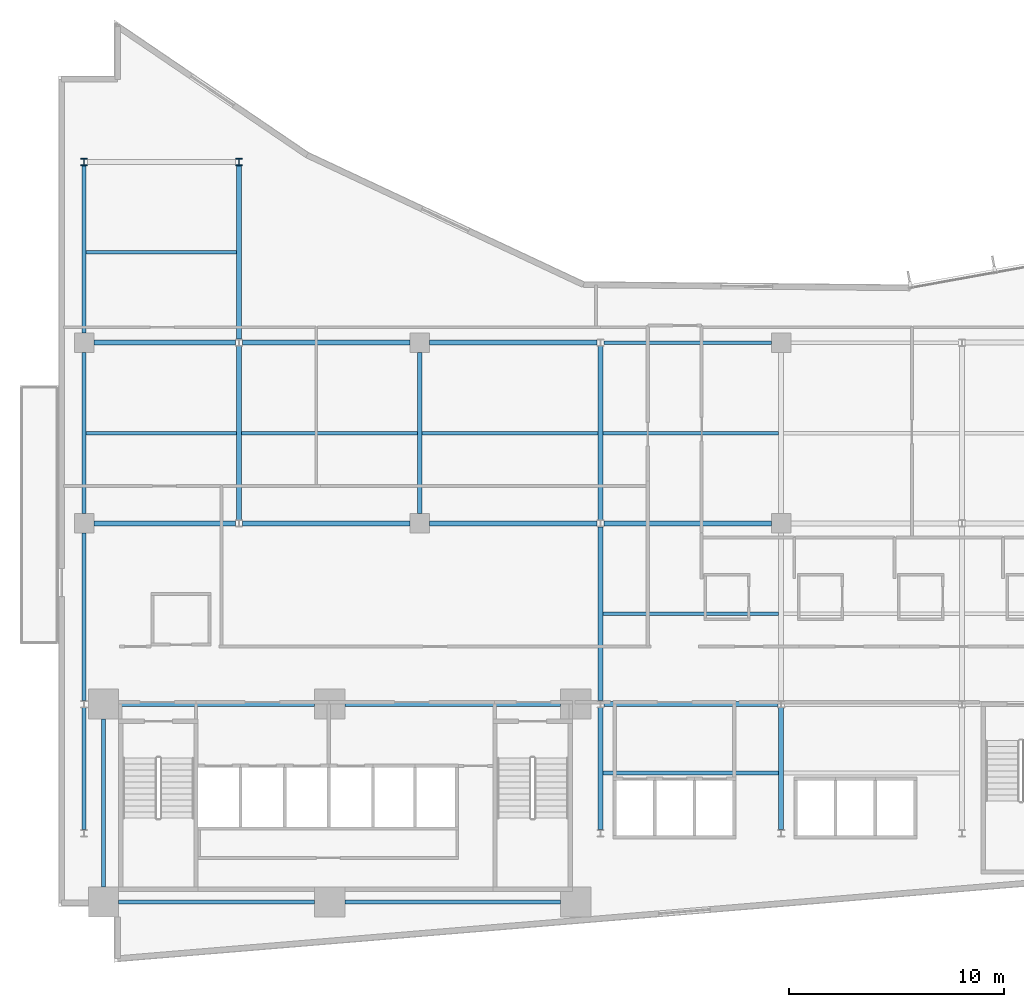
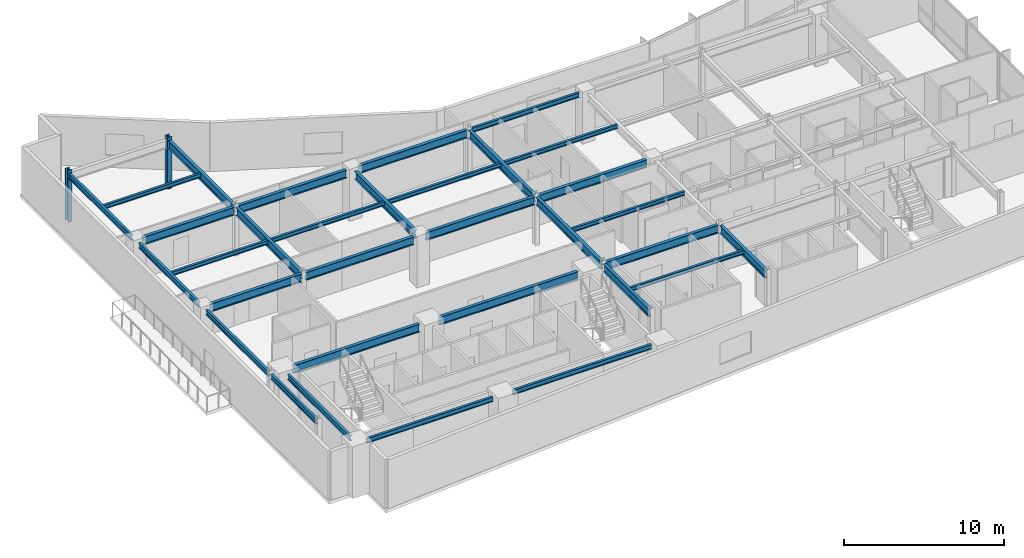
# One storey, part 3 of 19: 32 beams, 2 columns.
"""IFC4 building model written with IfcOpenShell, lengths in metres."""

from ifc_helpers import new_model, si_unit, direction, frame, origin, origin_2d, place, context, subcontext, project, spatial, i_section, extrude, material, material_profile, profile_set, type_object, element, save


model = new_model("IFC4")

# Units and contexts
model_context = context("Model", 3, precision=1e-05, world=origin(), true_north=direction((0.0, 1.0)))
body_context = subcontext(model_context, "Body", "Model", "MODEL_VIEW")
ifc_project = project(units=[si_unit("LENGTHUNIT", "METRE"), si_unit("AREAUNIT", "SQUARE_METRE"), si_unit("VOLUMEUNIT", "CUBIC_METRE"), si_unit("PLANEANGLEUNIT", "RADIAN"), si_unit("MASSUNIT", "GRAM", prefix="KILO")], contexts=[model_context])

# Site, building, storey
site_placement = place(None, origin())
site = spatial("IfcSite", under=ifc_project, at=site_placement, CompositionType="ELEMENT")
building_placement = place(site_placement, origin())
building = spatial("IfcBuilding", under=site, at=building_placement, Name="Varnakote Quay Hospital", CompositionType="ELEMENT")
storey_placement = place(building_placement, frame((0.0, 0.0, 85.699951171875)))
storey = spatial("IfcBuildingStorey", under=building, at=storey_placement, Name="L21", CompositionType="ELEMENT", Elevation=85.699951171875)

# Columns
ifc_material_1 = material(Name="Structural steel AS/NZS 3679.1 Grade 350 L0 (fy 340 MPa)", Category="steel")
ifc_material_profile_1 = material_profile(ifc_material_1, i_section(OverallWidth=0.31103515625, OverallDepth=0.326904296875, WebThickness=0.015625, FlangeThickness=0.02490234375, FilletRadius=0.0166015625, at=origin_2d()), Name="310UC158")
ifc_profile_set_1 = profile_set([ifc_material_profile_1], Name="Structural steel AS/NZS 3679.1 Grade 350 L0 (fy 340 MPa)")
column_type = type_object("IfcColumnType", Name="COL-STL-310UC158", PredefinedType="COLUMN", material=ifc_profile_set_1)
for number, where, z_axis, x_axis, name in (
    (1, (1.199951171875, 37.199951171875, 0.0), (0.0, 0.0, 1.0), (1.0, 0.0, 0.0), "L21 Structural Column C-1-37"),
    (2, (8.39990234375, 37.199951171875, 0.0), (0.0, 0.0, 1.0), (1.0, 0.0, 0.0), "L21 Structural Column C-8-37"),
):
    element("IfcColumn", number, at=place(storey_placement, frame(where, z_axis=z_axis, x_axis=x_axis)), inside=storey, type_object=column_type, Name=name, PredefinedType="COLUMN", context=body_context, shape_type="SweptSolid", body=[
        extrude(i_section(OverallWidth=0.31103515625, OverallDepth=0.326904296875, WebThickness=0.015625, FlangeThickness=0.02490234375, FilletRadius=0.0166015625, at=origin_2d()), origin(), (0.0, 0.0, 1.0), 3.949951171875),
    ])

# Beams
ifc_material_2 = material(Name="Structural steel AS/NZS 3679.1 Grade 350 L0 (fy 340 MPa)", Category="steel")
ifc_material_profile_2 = material_profile(ifc_material_2, i_section(OverallWidth=0.22900390625, OverallDepth=0.612060546875, WebThickness=0.011962890625, FlangeThickness=0.01953125, FilletRadius=0.013916015625, at=origin_2d()), Name="610UB125")
ifc_profile_set_2 = profile_set([ifc_material_profile_2], Name="Structural steel AS/NZS 3679.1 Grade 350 L0 (fy 340 MPa)")
beam_type_1 = type_object("IfcBeamType", Name="BM-STL-610UB125", PredefinedType="BEAM", material=ifc_profile_set_2)
beam_1_placement = place(storey_placement, frame((2.800048828125, 12.0, 3.404052734375), z_axis=(1.0, 0.0, 0.0), x_axis=(0.0, 1.0, 0.0)))
element("IfcBeam", 3, at=beam_1_placement, inside=storey, type_object=beam_type_1, Name="L21 Primary Floor Beam", PredefinedType="BEAM", context=body_context, shape_type="SweptSolid", body=[
    extrude(i_section(OverallWidth=0.22900390625, OverallDepth=0.612060546875, WebThickness=0.011962890625, FlangeThickness=0.01953125, FilletRadius=0.013916015625, at=origin_2d()), origin(), (0.0, 0.0, 1.0), 9.119873046875),
])
beam_2_placement = place(storey_placement, frame((13.320068359375, 12.0, 3.404052734375), z_axis=(1.0, 0.0, 0.0), x_axis=(0.0, 1.0, 0.0)))
element("IfcBeam", 4, at=beam_2_placement, inside=storey, type_object=beam_type_1, Name="L21 Primary Floor Beam", PredefinedType="BEAM", context=body_context, shape_type="SweptSolid", body=[
    extrude(i_section(OverallWidth=0.22900390625, OverallDepth=0.612060546875, WebThickness=0.011962890625, FlangeThickness=0.01953125, FilletRadius=0.013916015625, at=origin_2d()), origin(), (0.0, 0.0, 1.0), 10.030029296875),
])
beam_3_placement = place(storey_placement, frame((25.35546875, 12.0, 3.404052734375), z_axis=(1.0, 0.0, 0.0), x_axis=(0.0, 1.0, 0.0)))
element("IfcBeam", 5, at=beam_3_placement, inside=storey, type_object=beam_type_1, Name="L21 Primary Floor Beam", PredefinedType="BEAM", context=body_context, shape_type="SweptSolid", body=[
    extrude(i_section(OverallWidth=0.22900390625, OverallDepth=0.612060546875, WebThickness=0.011962890625, FlangeThickness=0.01953125, FilletRadius=0.013916015625, at=origin_2d()), origin(), (0.0, 0.0, 1.0), 8.089111328125),
])
beam_4_placement = place(storey_placement, frame((1.64990234375, 20.39990234375, 3.404052734375), z_axis=(1.0, 0.0, 0.0), x_axis=(0.0, 1.0, 0.0)))
element("IfcBeam", 6, at=beam_4_placement, inside=storey, type_object=beam_type_1, Name="L21 Primary Floor Beam", PredefinedType="BEAM", context=body_context, shape_type="SweptSolid", body=[
    extrude(i_section(OverallWidth=0.22900390625, OverallDepth=0.612060546875, WebThickness=0.011962890625, FlangeThickness=0.01953125, FilletRadius=0.013916015625, at=origin_2d()), origin(), (0.0, 0.0, 1.0), 6.594482421875),
])
beam_5_placement = place(storey_placement, frame((8.555419921875, 20.39990234375, 3.404052734375), z_axis=(1.0, 0.0, 0.0), x_axis=(0.0, 1.0, 0.0)))
element("IfcBeam", 7, at=beam_5_placement, inside=storey, type_object=beam_type_1, Name="L21 Primary Floor Beam", PredefinedType="BEAM", context=body_context, shape_type="SweptSolid", body=[
    extrude(i_section(OverallWidth=0.22900390625, OverallDepth=0.612060546875, WebThickness=0.011962890625, FlangeThickness=0.01953125, FilletRadius=0.013916015625, at=origin_2d()), origin(), (0.0, 0.0, 1.0), 7.794677734375),
])
for number, where, z_axis, x_axis, name in (
    (8, (17.25, 20.39990234375, 3.404052734375), (1.0, 0.0, 0.0), (0.0, 1.0, 0.0), "L21 Primary Floor Beam"),
    (9, (25.35546875, 20.39990234375, 3.404052734375), (1.0, 0.0, 0.0), (0.0, 1.0, 0.0), "L21 Primary Floor Beam"),
):
    element("IfcBeam", number, at=place(storey_placement, frame(where, z_axis=z_axis, x_axis=x_axis)), inside=storey, type_object=beam_type_1, Name=name, PredefinedType="BEAM", context=body_context, shape_type="SweptSolid", body=[
        extrude(i_section(OverallWidth=0.22900390625, OverallDepth=0.612060546875, WebThickness=0.011962890625, FlangeThickness=0.01953125, FilletRadius=0.013916015625, at=origin_2d()), origin(), (0.0, 0.0, 1.0), 7.79443359375),
    ])
beam_6_placement = place(storey_placement, frame((1.64990234375, 28.800048828125, 3.404052734375), z_axis=(1.0, 0.0, 0.0), x_axis=(0.0, 1.0, 0.0)))
element("IfcBeam", 10, at=beam_6_placement, inside=storey, type_object=beam_type_1, Name="L21 Primary Floor Beam", PredefinedType="BEAM", context=body_context, shape_type="SweptSolid", body=[
    extrude(i_section(OverallWidth=0.22900390625, OverallDepth=0.612060546875, WebThickness=0.011962890625, FlangeThickness=0.01953125, FilletRadius=0.013916015625, at=origin_2d()), origin(), (0.0, 0.0, 1.0), 6.594482421875),
])
beam_7_placement = place(storey_placement, frame((8.555419921875, 28.800048828125, 3.404052734375), z_axis=(1.0, 0.0, 0.0), x_axis=(0.0, 1.0, 0.0)))
element("IfcBeam", 11, at=beam_7_placement, inside=storey, type_object=beam_type_1, Name="L21 Primary Floor Beam", PredefinedType="BEAM", context=body_context, shape_type="SweptSolid", body=[
    extrude(i_section(OverallWidth=0.22900390625, OverallDepth=0.612060546875, WebThickness=0.011962890625, FlangeThickness=0.01953125, FilletRadius=0.013916015625, at=origin_2d()), origin(), (0.0, 0.0, 1.0), 7.794677734375),
])
beam_8_placement = place(storey_placement, frame((17.25, 28.800048828125, 3.404052734375), z_axis=(1.0, 0.0, 0.0), x_axis=(0.0, 1.0, 0.0)))
element("IfcBeam", 12, at=beam_8_placement, inside=storey, type_object=beam_type_1, Name="L21 Primary Floor Beam", PredefinedType="BEAM", context=body_context, shape_type="SweptSolid", body=[
    extrude(i_section(OverallWidth=0.22900390625, OverallDepth=0.612060546875, WebThickness=0.011962890625, FlangeThickness=0.01953125, FilletRadius=0.013916015625, at=origin_2d()), origin(), (0.0, 0.0, 1.0), 7.79443359375),
])
beam_9_placement = place(storey_placement, frame((8.39990234375, 20.5634765625, 3.404052734375), z_axis=(0.0, 1.0, 0.0), x_axis=(-1.0, 0.0, 0.0)))
element("IfcBeam", 13, at=beam_9_placement, inside=storey, type_object=beam_type_1, Name="L21 Primary Tie Beam", PredefinedType="BEAM", context=body_context, shape_type="SweptSolid", body=[
    extrude(i_section(OverallWidth=0.22900390625, OverallDepth=0.612060546875, WebThickness=0.011962890625, FlangeThickness=0.01953125, FilletRadius=0.013916015625, at=origin_2d()), origin(), (0.0, 0.0, 1.0), 8.072998046875),
])
beam_10_placement = place(storey_placement, frame((8.39990234375, 28.96337890625, 3.404052734375), z_axis=(0.0, 1.0, 0.0), x_axis=(-1.0, 0.0, 0.0)))
element("IfcBeam", 14, at=beam_10_placement, inside=storey, type_object=beam_type_1, Name="L21 Primary Tie Beam", PredefinedType="BEAM", context=body_context, shape_type="SweptSolid", body=[
    extrude(i_section(OverallWidth=0.22900390625, OverallDepth=0.612060546875, WebThickness=0.011962890625, FlangeThickness=0.01953125, FilletRadius=0.013916015625, at=origin_2d()), origin(), (0.0, 0.0, 1.0), 8.0732421875),
])
beam_11_placement = place(storey_placement, frame((16.800048828125, 20.85009765625, 3.404052734375), z_axis=(0.0, 1.0, 0.0), x_axis=(-1.0, 0.0, 0.0)))
element("IfcBeam", 15, at=beam_11_placement, inside=storey, type_object=beam_type_1, Name="L21 Primary Tie Beam", PredefinedType="BEAM", context=body_context, shape_type="SweptSolid", body=[
    extrude(i_section(OverallWidth=0.22900390625, OverallDepth=0.612060546875, WebThickness=0.011962890625, FlangeThickness=0.01953125, FilletRadius=0.013916015625, at=origin_2d()), origin(), (0.0, 0.0, 1.0), 7.5),
])
beam_12_placement = place(storey_placement, frame((25.199951171875, 6.16357421875, 3.404052734375), z_axis=(0.0, 1.0, 0.0), x_axis=(-1.0, 0.0, 0.0)))
element("IfcBeam", 16, at=beam_12_placement, inside=storey, type_object=beam_type_1, Name="L21 Primary Tie Beam", PredefinedType="BEAM", context=body_context, shape_type="SweptSolid", body=[
    extrude(i_section(OverallWidth=0.22900390625, OverallDepth=0.612060546875, WebThickness=0.011962890625, FlangeThickness=0.01953125, FilletRadius=0.013916015625, at=origin_2d()), origin(), (0.0, 0.0, 1.0), 5.6728515625),
])
for number, where, z_axis, x_axis, name in (
    (17, (25.199951171875, 12.16357421875, 3.404052734375), (0.0, 1.0, 0.0), (-1.0, 0.0, 0.0), "L21 Primary Tie Beam"),
    (18, (25.199951171875, 20.5634765625, 3.404052734375), (0.0, 1.0, 0.0), (-1.0, 0.0, 0.0), "L21 Primary Tie Beam"),
):
    element("IfcBeam", number, at=place(storey_placement, frame(where, z_axis=z_axis, x_axis=x_axis)), inside=storey, type_object=beam_type_1, Name=name, PredefinedType="BEAM", context=body_context, shape_type="SweptSolid", body=[
        extrude(i_section(OverallWidth=0.22900390625, OverallDepth=0.612060546875, WebThickness=0.011962890625, FlangeThickness=0.01953125, FilletRadius=0.013916015625, at=origin_2d()), origin(), (0.0, 0.0, 1.0), 8.072998046875),
    ])
beam_13_placement = place(storey_placement, frame((33.60009765625, 6.16357421875, 3.404052734375), z_axis=(0.0, 1.0, 0.0), x_axis=(-1.0, 0.0, 0.0)))
element("IfcBeam", 19, at=beam_13_placement, inside=storey, type_object=beam_type_1, Name="L21 Primary Tie Beam", PredefinedType="BEAM", context=body_context, shape_type="SweptSolid", body=[
    extrude(i_section(OverallWidth=0.22900390625, OverallDepth=0.612060546875, WebThickness=0.011962890625, FlangeThickness=0.01953125, FilletRadius=0.013916015625, at=origin_2d()), origin(), (0.0, 0.0, 1.0), 5.6728515625),
])
ifc_material_3 = material(Name="Structural steel AS/NZS 3679.1 Grade 350 L0 (fy 340 MPa)", Category="steel")
ifc_material_profile_3 = material_profile(ifc_material_3, i_section(OverallWidth=0.166015625, OverallDepth=0.306884765625, WebThickness=0.006591796875, FlangeThickness=0.01171875, FilletRadius=0.011474609375, at=origin_2d()), Name="310UB46.2")
ifc_profile_set_3 = profile_set([ifc_material_profile_3], Name="Structural steel AS/NZS 3679.1 Grade 350 L0 (fy 340 MPa)")
beam_type_2 = type_object("IfcBeamType", Name="JST-STL-310UB46-2", PredefinedType="JOIST", material=ifc_profile_set_3)
for number, where, z_axis, x_axis, name in (
    (20, (25.314453125, 8.800048828125, 3.556640625), (1.0, 0.0, 0.0), (0.0, 1.0, 0.0), "L21 Composite Floor Joist"),
    (21, (25.314453125, 16.199951171875, 3.556640625), (1.0, 0.0, 0.0), (0.0, 1.0, 0.0), "L21 Composite Floor Joist"),
):
    element("IfcBeam", number, at=place(storey_placement, frame(where, z_axis=z_axis, x_axis=x_axis)), inside=storey, type_object=beam_type_2, Name=name, PredefinedType="JOIST", context=body_context, shape_type="SweptSolid", body=[
        extrude(i_section(OverallWidth=0.166015625, OverallDepth=0.306884765625, WebThickness=0.006591796875, FlangeThickness=0.01171875, FilletRadius=0.011474609375, at=origin_2d()), origin(), (0.0, 0.0, 1.0), 8.171142578125),
    ])
beam_14_placement = place(storey_placement, frame((1.2890625, 24.60009765625, 3.556640625), z_axis=(1.0, 0.0, 0.0), x_axis=(0.0, 1.0, 0.0)))
element("IfcBeam", 22, at=beam_14_placement, inside=storey, type_object=beam_type_2, Name="L21 Composite Floor Joist", PredefinedType="JOIST", context=body_context, shape_type="SweptSolid", body=[
    extrude(i_section(OverallWidth=0.166015625, OverallDepth=0.306884765625, WebThickness=0.006591796875, FlangeThickness=0.01171875, FilletRadius=0.011474609375, at=origin_2d()), origin(), (0.0, 0.0, 1.0), 6.996337890625),
])
beam_15_placement = place(storey_placement, frame((8.514404296875, 24.60009765625, 3.556640625), z_axis=(1.0, 0.0, 0.0), x_axis=(0.0, 1.0, 0.0)))
element("IfcBeam", 23, at=beam_15_placement, inside=storey, type_object=beam_type_2, Name="L21 Composite Floor Joist", PredefinedType="JOIST", context=body_context, shape_type="SweptSolid", body=[
    extrude(i_section(OverallWidth=0.166015625, OverallDepth=0.306884765625, WebThickness=0.006591796875, FlangeThickness=0.01171875, FilletRadius=0.011474609375, at=origin_2d()), origin(), (0.0, 0.0, 1.0), 8.171142578125),
])
beam_16_placement = place(storey_placement, frame((16.91455078125, 24.60009765625, 3.556640625), z_axis=(1.0, 0.0, 0.0), x_axis=(0.0, 1.0, 0.0)))
element("IfcBeam", 24, at=beam_16_placement, inside=storey, type_object=beam_type_2, Name="L21 Composite Floor Joist", PredefinedType="JOIST", context=body_context, shape_type="SweptSolid", body=[
    extrude(i_section(OverallWidth=0.166015625, OverallDepth=0.306884765625, WebThickness=0.006591796875, FlangeThickness=0.01171875, FilletRadius=0.011474609375, at=origin_2d()), origin(), (0.0, 0.0, 1.0), 8.1708984375),
])
beam_17_placement = place(storey_placement, frame((25.314453125, 24.60009765625, 3.556640625), z_axis=(1.0, 0.0, 0.0), x_axis=(0.0, 1.0, 0.0)))
element("IfcBeam", 25, at=beam_17_placement, inside=storey, type_object=beam_type_2, Name="L21 Composite Floor Joist", PredefinedType="JOIST", context=body_context, shape_type="SweptSolid", body=[
    extrude(i_section(OverallWidth=0.166015625, OverallDepth=0.306884765625, WebThickness=0.006591796875, FlangeThickness=0.01171875, FilletRadius=0.011474609375, at=origin_2d()), origin(), (0.0, 0.0, 1.0), 8.171142578125),
])
beam_18_placement = place(storey_placement, frame((1.2890625, 33.0, 3.556640625), z_axis=(1.0, 0.0, 0.0), x_axis=(0.0, 1.0, 0.0)))
element("IfcBeam", 26, at=beam_18_placement, inside=storey, type_object=beam_type_2, Name="L21 Composite Floor Joist", PredefinedType="JOIST", context=body_context, shape_type="SweptSolid", body=[
    extrude(i_section(OverallWidth=0.166015625, OverallDepth=0.306884765625, WebThickness=0.006591796875, FlangeThickness=0.01171875, FilletRadius=0.011474609375, at=origin_2d()), origin(), (0.0, 0.0, 1.0), 6.996337890625),
])
ifc_material_4 = material(Name="Structural steel AS/NZS 3679.1 Grade 350 L0 (fy 340 MPa)", Category="steel")
ifc_material_profile_4 = material_profile(ifc_material_4, i_section(OverallWidth=0.172119140625, OverallDepth=0.35888671875, WebThickness=0.008056640625, FlangeThickness=0.012939453125, FilletRadius=0.011474609375, at=origin_2d()), Name="360UB56.7")
ifc_profile_set_4 = profile_set([ifc_material_profile_4], Name="Structural steel AS/NZS 3679.1 Grade 350 L0 (fy 340 MPa)")
beam_type_3 = type_object("IfcBeamType", Name="SPN-STL-360UB56-7", PredefinedType="SPANDREL", material=ifc_profile_set_4)
beam_19_placement = place(storey_placement, frame((2.800048828125, 2.800048828125, 3.530517578125), z_axis=(1.0, 0.0, 0.0), x_axis=(0.0, 1.0, 0.0)))
element("IfcBeam", 27, at=beam_19_placement, inside=storey, type_object=beam_type_3, Name="L21 Perimeter Spandrel Beam", PredefinedType="SPANDREL", context=body_context, shape_type="SweptSolid", body=[
    extrude(i_section(OverallWidth=0.172119140625, OverallDepth=0.35888671875, WebThickness=0.008056640625, FlangeThickness=0.012939453125, FilletRadius=0.011474609375, at=origin_2d()), origin(), (0.0, 0.0, 1.0), 9.119873046875),
])
beam_20_placement = place(storey_placement, frame((13.320068359375, 2.800048828125, 3.530517578125), z_axis=(1.0, 0.0, 0.0), x_axis=(0.0, 1.0, 0.0)))
element("IfcBeam", 28, at=beam_20_placement, inside=storey, type_object=beam_type_3, Name="L21 Perimeter Spandrel Beam", PredefinedType="SPANDREL", context=body_context, shape_type="SweptSolid", body=[
    extrude(i_section(OverallWidth=0.172119140625, OverallDepth=0.35888671875, WebThickness=0.008056640625, FlangeThickness=0.012939453125, FilletRadius=0.011474609375, at=origin_2d()), origin(), (0.0, 0.0, 1.0), 10.030029296875),
])
beam_21_placement = place(storey_placement, frame((25.35546875, 28.800048828125, 3.530517578125), z_axis=(1.0, 0.0, 0.0), x_axis=(0.0, 1.0, 0.0)))
element("IfcBeam", 29, at=beam_21_placement, inside=storey, type_object=beam_type_3, Name="L21 Perimeter Spandrel Beam", PredefinedType="SPANDREL", context=body_context, shape_type="SweptSolid", body=[
    extrude(i_section(OverallWidth=0.172119140625, OverallDepth=0.35888671875, WebThickness=0.008056640625, FlangeThickness=0.012939453125, FilletRadius=0.011474609375, at=origin_2d()), origin(), (0.0, 0.0, 1.0), 7.79443359375),
])
ifc_material_5 = material(Name="Structural steel AS/NZS 3679.1 Grade 350 L0 (fy 340 MPa)", Category="steel")
ifc_material_profile_5 = material_profile(ifc_material_5, i_section(OverallWidth=0.177978515625, OverallDepth=0.403076171875, WebThickness=0.007568359375, FlangeThickness=0.010986328125, FilletRadius=0.011474609375, at=origin_2d()), Name="410UB53.7")
ifc_profile_set_5 = profile_set([ifc_material_profile_5], Name="Structural steel AS/NZS 3679.1 Grade 350 L0 (fy 340 MPa)")
beam_type_4 = type_object("IfcBeamType", Name="SPN-STL-410UB53-7", PredefinedType="SPANDREL", material=ifc_profile_set_5)
beam_22_placement = place(storey_placement, frame((1.199951171875, 6.16357421875, 3.508544921875), z_axis=(0.0, 1.0, 0.0), x_axis=(-1.0, 0.0, 0.0)))
element("IfcBeam", 30, at=beam_22_placement, inside=storey, type_object=beam_type_4, Name="L21 Perimeter Spandrel Beam", PredefinedType="SPANDREL", context=body_context, shape_type="SweptSolid", body=[
    extrude(i_section(OverallWidth=0.177978515625, OverallDepth=0.403076171875, WebThickness=0.007568359375, FlangeThickness=0.010986328125, FilletRadius=0.011474609375, at=origin_2d()), origin(), (0.0, 0.0, 1.0), 5.6728515625),
])
beam_23_placement = place(storey_placement, frame((1.199951171875, 12.16357421875, 3.508544921875), z_axis=(0.0, 1.0, 0.0), x_axis=(-1.0, 0.0, 0.0)))
element("IfcBeam", 31, at=beam_23_placement, inside=storey, type_object=beam_type_4, Name="L21 Perimeter Spandrel Beam", PredefinedType="SPANDREL", context=body_context, shape_type="SweptSolid", body=[
    extrude(i_section(OverallWidth=0.177978515625, OverallDepth=0.403076171875, WebThickness=0.007568359375, FlangeThickness=0.010986328125, FilletRadius=0.011474609375, at=origin_2d()), origin(), (0.0, 0.0, 1.0), 7.786376953125),
])
beam_24_placement = place(storey_placement, frame((1.199951171875, 20.85009765625, 3.508544921875), z_axis=(0.0, 1.0, 0.0), x_axis=(-1.0, 0.0, 0.0)))
element("IfcBeam", 32, at=beam_24_placement, inside=storey, type_object=beam_type_4, Name="L21 Perimeter Spandrel Beam", PredefinedType="SPANDREL", context=body_context, shape_type="SweptSolid", body=[
    extrude(i_section(OverallWidth=0.177978515625, OverallDepth=0.403076171875, WebThickness=0.007568359375, FlangeThickness=0.010986328125, FilletRadius=0.011474609375, at=origin_2d()), origin(), (0.0, 0.0, 1.0), 7.5),
])
beam_25_placement = place(storey_placement, frame((1.199951171875, 29.25, 3.508544921875), z_axis=(0.0, 1.0, 0.0), x_axis=(-1.0, 0.0, 0.0)))
element("IfcBeam", 33, at=beam_25_placement, inside=storey, type_object=beam_type_4, Name="L21 Perimeter Spandrel Beam", PredefinedType="SPANDREL", context=body_context, shape_type="SweptSolid", body=[
    extrude(i_section(OverallWidth=0.177978515625, OverallDepth=0.403076171875, WebThickness=0.007568359375, FlangeThickness=0.010986328125, FilletRadius=0.011474609375, at=origin_2d()), origin(), (0.0, 0.0, 1.0), 7.78662109375),
])
beam_26_placement = place(storey_placement, frame((2.10009765625, 3.5, 3.508544921875), z_axis=(0.0, 1.0, 0.0), x_axis=(-1.0, 0.0, 0.0)))
element("IfcBeam", 34, at=beam_26_placement, inside=storey, type_object=beam_type_4, Name="L21 Perimeter Spandrel Beam", PredefinedType="SPANDREL", context=body_context, shape_type="SweptSolid", body=[
    extrude(i_section(OverallWidth=0.177978515625, OverallDepth=0.403076171875, WebThickness=0.007568359375, FlangeThickness=0.010986328125, FilletRadius=0.011474609375, at=origin_2d()), origin(), (0.0, 0.0, 1.0), 7.800048828125),
])

save(model, "model.ifc")
